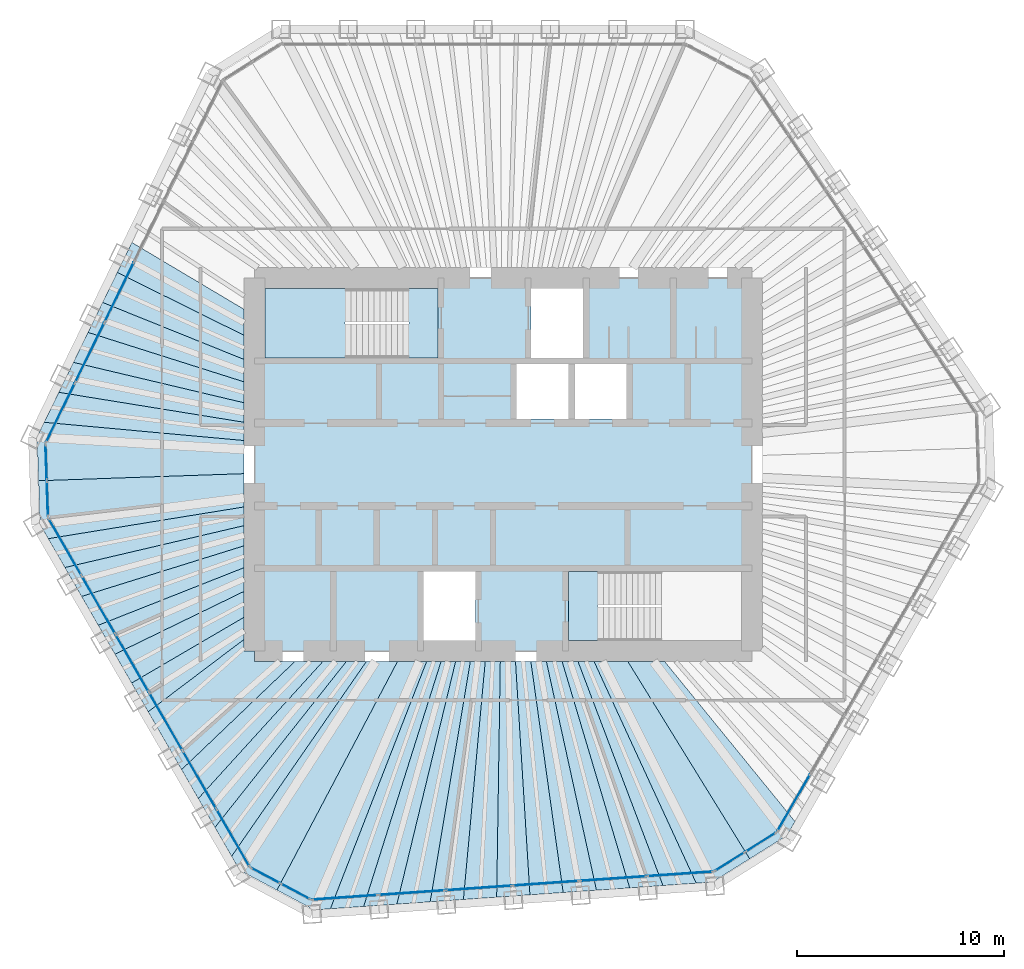
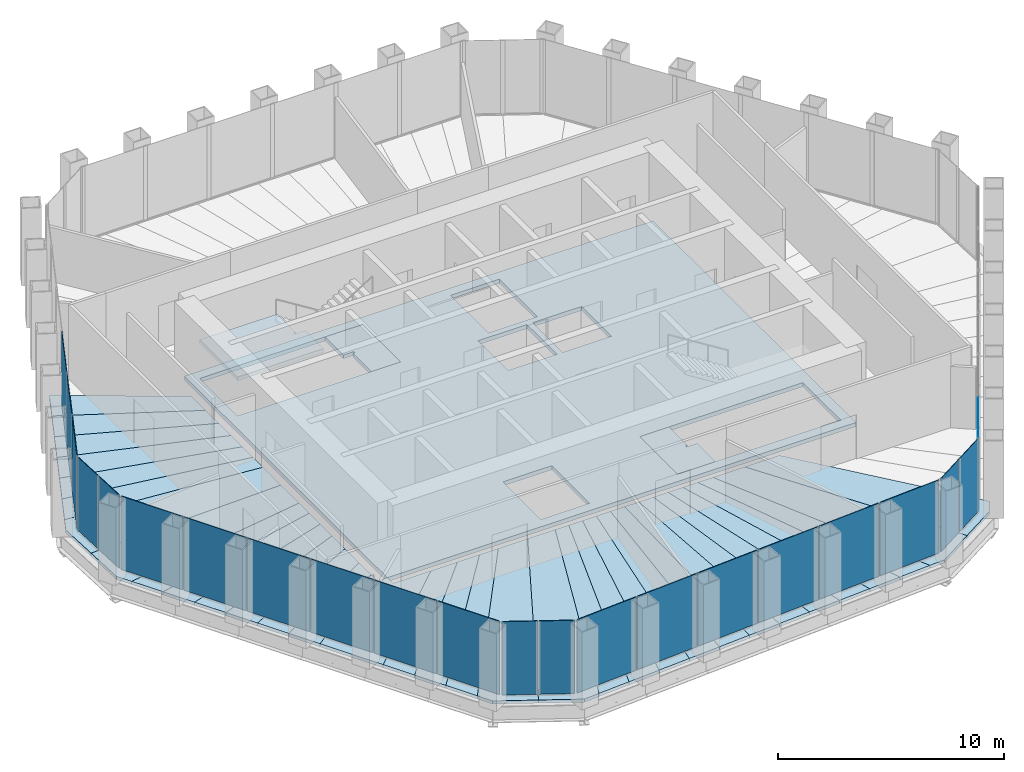
# One storey, part 9 of 14: 37 slabs, 22 plates, 9 elements without a shape of their own.
"""IFC4 building model written with IfcOpenShell, lengths in metres."""

from ifc_helpers import new_model, si_unit, direction, frame, origin, origin_2d, place, context, subcontext, project, spatial, polyline, rectangle, outline, extrude, material, layer, layer_set, type_object, element, aggregate, save


model = new_model("IFC4")

# Units and contexts
model_context = context("Model", 3, precision=1e-05, world=origin(), true_north=direction((0.0, 1.0)))
body_context = subcontext(model_context, "Body", "Model", "MODEL_VIEW")
ifc_project = project(units=[si_unit("LENGTHUNIT", "METRE"), si_unit("AREAUNIT", "SQUARE_METRE"), si_unit("VOLUMEUNIT", "CUBIC_METRE"), si_unit("PLANEANGLEUNIT", "RADIAN"), si_unit("MASSUNIT", "GRAM", prefix="KILO")], contexts=[model_context])

# Site, building, storey
site_placement = place(None, origin())
site = spatial("IfcSite", under=ifc_project, at=site_placement, CompositionType="ELEMENT")
building_placement = place(site_placement, origin())
building = spatial("IfcBuilding", under=site, at=building_placement, Name="Qingtian Harvest Tower", CompositionType="ELEMENT")
storey_placement = place(building_placement, frame((0.0, 0.0, 287.199951171875)))
storey = spatial("IfcBuildingStorey", under=building, at=storey_placement, Name="L63", CompositionType="ELEMENT", Elevation=287.199951171875)

# Slabs
ifc_material_1 = material(Name="Concrete fc' 35 MPa", Category="concrete")
ifc_layer_1 = layer(ifc_material_1, 0.169921875)
ifc_layer_set_1 = layer_set([ifc_layer_1], Name="Composite floor slab FS17 170")
slab_type_1 = type_object("IfcSlabType", Name="Composite floor slab FS17 170", PredefinedType="FLOOR", material=ifc_layer_set_1)
slab_1_placement = place(storey_placement, frame((0.0, 0.0, -0.169921875)))
element("IfcSlab", 1, at=slab_1_placement, inside=storey, type_object=slab_type_1, Name="Floor slab L63 panel D01", PredefinedType="FLOOR", context=body_context, shape_type="SweptSolid", body=[
    extrude(outline(polyline([(-22.422607421875, -0.783203125), (-12.5, -0.4404296875), (-12.5, -2.044921875), (-21.95751953125, -3.578369140625), (-22.348876953125, -2.90087890625), (-22.422607421875, -0.783203125)])), origin(), (0.0, 0.0, 1.0), 0.169921875),
])
slab_2_placement = place(storey_placement, frame((0.0, 0.0, -0.169921875)))
element("IfcSlab", 2, at=slab_2_placement, inside=storey, type_object=slab_type_1, Name="Floor slab L63 panel D02", PredefinedType="FLOOR", context=body_context, shape_type="SweptSolid", body=[
    extrude(outline(polyline([(-12.5, -2.94677734375), (-21.153076171875, -4.9716796875), (-21.95751953125, -3.578369140625), (-12.5, -2.044921875), (-12.5, -2.94677734375)])), origin(), (0.0, 0.0, 1.0), 0.169921875),
])
slab_3_placement = place(storey_placement, frame((0.0, 0.0, -0.169921875)))
element("IfcSlab", 3, at=slab_3_placement, inside=storey, type_object=slab_type_1, Name="Floor slab L63 panel D03", PredefinedType="FLOOR", context=body_context, shape_type="SweptSolid", body=[
    extrude(outline(polyline([(-12.5, -3.919921875), (-20.3486328125, -6.365234375), (-21.153076171875, -4.9716796875), (-12.5, -2.94677734375), (-12.5, -3.919921875)])), origin(), (0.0, 0.0, 1.0), 0.169921875),
])
slab_4_placement = place(storey_placement, frame((0.0, 0.0, -0.169921875)))
element("IfcSlab", 4, at=slab_4_placement, inside=storey, type_object=slab_type_1, Name="Floor slab L63 panel D04", PredefinedType="FLOOR", context=body_context, shape_type="SweptSolid", body=[
    extrude(outline(polyline([(-12.5, -4.973388671875), (-19.544189453125, -7.758544921875), (-20.3486328125, -6.365234375), (-12.5, -3.919921875), (-12.5, -4.973388671875)])), origin(), (0.0, 0.0, 1.0), 0.169921875),
])
slab_5_placement = place(storey_placement, frame((0.0, 0.0, -0.169921875)))
element("IfcSlab", 5, at=slab_5_placement, inside=storey, type_object=slab_type_1, Name="Floor slab L63 panel D05", PredefinedType="FLOOR", context=body_context, shape_type="SweptSolid", body=[
    extrude(outline(polyline([(-12.5, -6.1171875), (-18.73974609375, -9.15185546875), (-19.544189453125, -7.758544921875), (-12.5, -4.973388671875), (-12.5, -6.1171875)])), origin(), (0.0, 0.0, 1.0), 0.169921875),
])
slab_6_placement = place(storey_placement, frame((0.0, 0.0, -0.169921875)))
element("IfcSlab", 6, at=slab_6_placement, inside=storey, type_object=slab_type_1, Name="Floor slab L63 panel D06", PredefinedType="FLOOR", context=body_context, shape_type="SweptSolid", body=[
    extrude(outline(polyline([(-12.5, -7.364013671875), (-17.93505859375, -10.54541015625), (-18.73974609375, -9.15185546875), (-12.5, -6.1171875), (-12.5, -7.364013671875)])), origin(), (0.0, 0.0, 1.0), 0.169921875),
])
slab_7_placement = place(storey_placement, frame((0.0, 0.0, -0.169921875)))
element("IfcSlab", 7, at=slab_7_placement, inside=storey, type_object=slab_type_1, Name="Floor slab L63 panel D07", PredefinedType="FLOOR", context=body_context, shape_type="SweptSolid", body=[
    extrude(outline(polyline([(-12.5, -8.432373046875), (-17.134521484375, -11.931884765625), (-17.93505859375, -10.54541015625), (-12.5, -7.364013671875), (-12.5, -8.432373046875)])), origin(), (0.0, 0.0, 1.0), 0.169921875),
])
slab_8_placement = place(storey_placement, frame((0.0, 0.0, -0.169921875)))
element("IfcSlab", 8, at=slab_8_placement, inside=storey, type_object=slab_type_1, Name="Floor slab L63 panel D09", PredefinedType="FLOOR", context=body_context, shape_type="SweptSolid", body=[
    extrude(outline(polyline([(-15.522216796875, -14.724609375), (-17.134521484375, -11.931884765625), (-12.5, -8.432373046875), (-12.5, -9.0), (-12.0, -9.0), (-12.0, -9.5), (-10.048828125, -9.5), (-15.522216796875, -14.724609375)])), origin(), (0.0, 0.0, 1.0), 0.169921875),
])
slab_9_placement = place(storey_placement, frame((0.0, 0.0, -0.169921875)))
element("IfcSlab", 9, at=slab_9_placement, inside=storey, type_object=slab_type_1, Name="Floor slab L63 panel D10", PredefinedType="FLOOR", context=body_context, shape_type="SweptSolid", body=[
    extrude(outline(polyline([(-8.70068359375, -9.5), (-14.7177734375, -16.1181640625), (-15.522216796875, -14.724609375), (-10.048828125, -9.5), (-8.70068359375, -9.5)])), origin(), (0.0, 0.0, 1.0), 0.169921875),
])
slab_10_placement = place(storey_placement, frame((0.0, 0.0, -0.169921875)))
element("IfcSlab", 10, at=slab_10_placement, inside=storey, type_object=slab_type_1, Name="Floor slab L63 panel D11", PredefinedType="FLOOR", context=body_context, shape_type="SweptSolid", body=[
    extrude(outline(polyline([(-7.568359375, -9.5), (-13.9130859375, -17.51171875), (-14.7177734375, -16.1181640625), (-8.70068359375, -9.5), (-7.568359375, -9.5)])), origin(), (0.0, 0.0, 1.0), 0.169921875),
])
slab_11_placement = place(storey_placement, frame((0.0, 0.0, -0.169921875)))
element("IfcSlab", 11, at=slab_11_placement, inside=storey, type_object=slab_type_1, Name="Floor slab L63 panel D12", PredefinedType="FLOOR", context=body_context, shape_type="SweptSolid", body=[
    extrude(outline(polyline([(-6.603515625, -9.5), (-13.108642578125, -18.905029296875), (-13.9130859375, -17.51171875), (-7.568359375, -9.5), (-6.603515625, -9.5)])), origin(), (0.0, 0.0, 1.0), 0.169921875),
])
slab_12_placement = place(storey_placement, frame((0.0, 0.0, -0.169921875)))
element("IfcSlab", 12, at=slab_12_placement, inside=storey, type_object=slab_type_1, Name="Floor slab L63 panel D13", PredefinedType="FLOOR", context=body_context, shape_type="SweptSolid", body=[
    extrude(outline(polyline([(-6.603515625, -9.5), (-5.10009765625, -9.5), (-10.921142578125, -20.537841796875), (-12.717529296875, -19.582763671875), (-13.108642578125, -18.905029296875), (-6.603515625, -9.5)])), origin(), (0.0, 0.0, 1.0), 0.169921875),
])
slab_13_placement = place(storey_placement, frame((0.0, 0.0, -0.169921875)))
element("IfcSlab", 13, at=slab_13_placement, inside=storey, type_object=slab_type_1, Name="Floor slab L63 panel D14", PredefinedType="FLOOR", context=body_context, shape_type="SweptSolid", body=[
    extrude(outline(polyline([(-5.10009765625, -9.5), (-3.696044921875, -9.5), (-8.343017578125, -21.439208984375), (-9.123291015625, -21.49365234375), (-10.921142578125, -20.537841796875), (-5.10009765625, -9.5)])), origin(), (0.0, 0.0, 1.0), 0.169921875),
])
slab_14_placement = place(storey_placement, frame((0.0, 0.0, -0.169921875)))
element("IfcSlab", 14, at=slab_14_placement, inside=storey, type_object=slab_type_1, Name="Floor slab L63 panel D15", PredefinedType="FLOOR", context=body_context, shape_type="SweptSolid", body=[
    extrude(outline(polyline([(-3.00048828125, -9.5), (-6.738037109375, -21.326904296875), (-8.343017578125, -21.439208984375), (-3.696044921875, -9.5), (-3.00048828125, -9.5)])), origin(), (0.0, 0.0, 1.0), 0.169921875),
])
slab_15_placement = place(storey_placement, frame((0.0, 0.0, -0.169921875)))
element("IfcSlab", 15, at=slab_15_placement, inside=storey, type_object=slab_type_1, Name="Floor slab L63 panel D16", PredefinedType="FLOOR", context=body_context, shape_type="SweptSolid", body=[
    extrude(outline(polyline([(-2.297607421875, -9.5), (-5.133056640625, -21.21484375), (-6.738037109375, -21.326904296875), (-3.00048828125, -9.5), (-2.297607421875, -9.5)])), origin(), (0.0, 0.0, 1.0), 0.169921875),
])
slab_16_placement = place(storey_placement, frame((0.0, 0.0, -0.169921875)))
element("IfcSlab", 16, at=slab_16_placement, inside=storey, type_object=slab_type_1, Name="Floor slab L63 panel D17", PredefinedType="FLOOR", context=body_context, shape_type="SweptSolid", body=[
    extrude(outline(polyline([(-1.58740234375, -9.5), (-3.528076171875, -21.1025390625), (-5.133056640625, -21.21484375), (-2.297607421875, -9.5), (-1.58740234375, -9.5)])), origin(), (0.0, 0.0, 1.0), 0.169921875),
])
slab_17_placement = place(storey_placement, frame((0.0, 0.0, -0.169921875)))
element("IfcSlab", 17, at=slab_17_placement, inside=storey, type_object=slab_type_1, Name="Floor slab L63 panel D18", PredefinedType="FLOOR", context=body_context, shape_type="SweptSolid", body=[
    extrude(outline(polyline([(-0.869384765625, -9.5), (-1.9228515625, -20.990234375), (-3.528076171875, -21.1025390625), (-1.58740234375, -9.5), (-0.869384765625, -9.5)])), origin(), (0.0, 0.0, 1.0), 0.169921875),
])
slab_18_placement = place(storey_placement, frame((0.0, 0.0, -0.169921875)))
element("IfcSlab", 18, at=slab_18_placement, inside=storey, type_object=slab_type_1, Name="Floor slab L63 panel D19", PredefinedType="FLOOR", context=body_context, shape_type="SweptSolid", body=[
    extrude(outline(polyline([(-0.143798828125, -9.5), (-0.31787109375, -20.8779296875), (-1.9228515625, -20.990234375), (-0.869384765625, -9.5), (-0.143798828125, -9.5)])), origin(), (0.0, 0.0, 1.0), 0.169921875),
])
slab_19_placement = place(storey_placement, frame((0.0, 0.0, -0.169921875)))
element("IfcSlab", 19, at=slab_19_placement, inside=storey, type_object=slab_type_1, Name="Floor slab L63 panel D20", PredefinedType="FLOOR", context=body_context, shape_type="SweptSolid", body=[
    extrude(outline(polyline([(0.58984375, -9.5), (1.287109375, -20.765869140625), (-0.31787109375, -20.8779296875), (-0.143798828125, -9.5), (0.58984375, -9.5)])), origin(), (0.0, 0.0, 1.0), 0.169921875),
])
slab_20_placement = place(storey_placement, frame((0.0, 0.0, -0.169921875)))
element("IfcSlab", 20, at=slab_20_placement, inside=storey, type_object=slab_type_1, Name="Floor slab L63 panel D21", PredefinedType="FLOOR", context=body_context, shape_type="SweptSolid", body=[
    extrude(outline(polyline([(1.331298828125, -9.5), (2.89208984375, -20.653564453125), (1.287109375, -20.765869140625), (0.58984375, -9.5), (1.331298828125, -9.5)])), origin(), (0.0, 0.0, 1.0), 0.169921875),
])
slab_21_placement = place(storey_placement, frame((0.0, 0.0, -0.169921875)))
element("IfcSlab", 21, at=slab_21_placement, inside=storey, type_object=slab_type_1, Name="Floor slab L63 panel D22", PredefinedType="FLOOR", context=body_context, shape_type="SweptSolid", body=[
    extrude(outline(polyline([(2.080810546875, -9.5), (4.4970703125, -20.541259765625), (2.89208984375, -20.653564453125), (1.331298828125, -9.5), (2.080810546875, -9.5)])), origin(), (0.0, 0.0, 1.0), 0.169921875),
])
slab_22_placement = place(storey_placement, frame((0.0, 0.0, -0.169921875)))
element("IfcSlab", 22, at=slab_22_placement, inside=storey, type_object=slab_type_1, Name="Floor slab L63 panel D23", PredefinedType="FLOOR", context=body_context, shape_type="SweptSolid", body=[
    extrude(outline(polyline([(2.838623046875, -9.5), (6.10205078125, -20.42919921875), (4.4970703125, -20.541259765625), (2.080810546875, -9.5), (2.838623046875, -9.5)])), origin(), (0.0, 0.0, 1.0), 0.169921875),
])
slab_23_placement = place(storey_placement, frame((0.0, 0.0, -0.169921875)))
element("IfcSlab", 23, at=slab_23_placement, inside=storey, type_object=slab_type_1, Name="Floor slab L63 panel D24", PredefinedType="FLOOR", context=body_context, shape_type="SweptSolid", body=[
    extrude(outline(polyline([(3.604736328125, -9.5), (7.70703125, -20.31689453125), (6.10205078125, -20.42919921875), (2.838623046875, -9.5), (3.604736328125, -9.5)])), origin(), (0.0, 0.0, 1.0), 0.169921875),
])
slab_24_placement = place(storey_placement, frame((0.0, 0.0, -0.169921875)))
element("IfcSlab", 24, at=slab_24_placement, inside=storey, type_object=slab_type_1, Name="Floor slab L63 panel D25", PredefinedType="FLOOR", context=body_context, shape_type="SweptSolid", body=[
    extrude(outline(polyline([(4.379638671875, -9.5), (9.312255859375, -20.20458984375), (7.70703125, -20.31689453125), (3.604736328125, -9.5), (4.379638671875, -9.5)])), origin(), (0.0, 0.0, 1.0), 0.169921875),
])
slab_25_placement = place(storey_placement, frame((0.0, 0.0, -0.169921875)))
element("IfcSlab", 25, at=slab_25_placement, inside=storey, type_object=slab_type_1, Name="Floor slab L63 panel D26", PredefinedType="FLOOR", context=body_context, shape_type="SweptSolid", body=[
    extrude(outline(polyline([(4.379638671875, -9.5), (6.0087890625, -9.5), (11.890380859375, -19.026611328125), (10.09228515625, -20.150146484375), (9.312255859375, -20.20458984375), (4.379638671875, -9.5)])), origin(), (0.0, 0.0, 1.0), 0.169921875),
])
slab_26_placement = place(storey_placement, frame((0.0, 0.0, -0.169921875)))
element("IfcSlab", 26, at=slab_26_placement, inside=storey, type_object=slab_type_1, Name="Floor slab L63 panel D27", PredefinedType="FLOOR", context=body_context, shape_type="SweptSolid", body=[
    extrude(outline(polyline([(6.0087890625, -9.5), (7.78515625, -9.5), (14.077880859375, -17.2265625), (13.6865234375, -17.904296875), (11.890380859375, -19.026611328125), (6.0087890625, -9.5)])), origin(), (0.0, 0.0, 1.0), 0.169921875),
])
slab_27_placement = place(storey_placement, frame((0.0, 0.0, -0.169921875)))
element("IfcSlab", 27, at=slab_27_placement, inside=storey, type_object=slab_type_1, Name="Floor slab L63 panel D72", PredefinedType="FLOOR", context=body_context, shape_type="SweptSolid", body=[
    extrude(outline(polyline([(-12.5, 6.23095703125), (-18.627197265625, 9.2685546875), (-17.921875, 10.714599609375), (-12.5, 7.48583984375), (-12.5, 6.23095703125)])), origin(), (0.0, 0.0, 1.0), 0.169921875),
])
slab_28_placement = place(storey_placement, frame((0.0, 0.0, -0.169921875)))
element("IfcSlab", 28, at=slab_28_placement, inside=storey, type_object=slab_type_1, Name="Floor slab L63 panel D73", PredefinedType="FLOOR", context=body_context, shape_type="SweptSolid", body=[
    extrude(outline(polyline([(-12.5, 5.06787109375), (-19.33251953125, 7.822509765625), (-18.627197265625, 9.2685546875), (-12.5, 6.23095703125), (-12.5, 5.06787109375)])), origin(), (0.0, 0.0, 1.0), 0.169921875),
])
slab_29_placement = place(storey_placement, frame((0.0, 0.0, -0.169921875)))
element("IfcSlab", 29, at=slab_29_placement, inside=storey, type_object=slab_type_1, Name="Floor slab L63 panel D74", PredefinedType="FLOOR", context=body_context, shape_type="SweptSolid", body=[
    extrude(outline(polyline([(-12.5, 3.986572265625), (-20.037841796875, 6.376220703125), (-19.33251953125, 7.822509765625), (-12.5, 5.06787109375), (-12.5, 3.986572265625)])), origin(), (0.0, 0.0, 1.0), 0.169921875),
])
slab_30_placement = place(storey_placement, frame((0.0, 0.0, -0.169921875)))
element("IfcSlab", 30, at=slab_30_placement, inside=storey, type_object=slab_type_1, Name="Floor slab L63 panel D75", PredefinedType="FLOOR", context=body_context, shape_type="SweptSolid", body=[
    extrude(outline(polyline([(-12.5, 2.97900390625), (-20.7431640625, 4.93017578125), (-20.037841796875, 6.376220703125), (-12.5, 3.986572265625), (-12.5, 2.97900390625)])), origin(), (0.0, 0.0, 1.0), 0.169921875),
])
slab_31_placement = place(storey_placement, frame((0.0, 0.0, -0.169921875)))
element("IfcSlab", 31, at=slab_31_placement, inside=storey, type_object=slab_type_1, Name="Floor slab L63 panel D76", PredefinedType="FLOOR", context=body_context, shape_type="SweptSolid", body=[
    extrude(outline(polyline([(-12.5, 2.037841796875), (-21.448486328125, 3.484130859375), (-20.7431640625, 4.93017578125), (-12.5, 2.97900390625), (-12.5, 2.037841796875)])), origin(), (0.0, 0.0, 1.0), 0.169921875),
])
slab_32_placement = place(storey_placement, frame((0.0, 0.0, -0.169921875)))
element("IfcSlab", 32, at=slab_32_placement, inside=storey, type_object=slab_type_1, Name="Floor slab L63 panel D77", PredefinedType="FLOOR", context=body_context, shape_type="SweptSolid", body=[
    extrude(outline(polyline([(-12.5, 1.156494140625), (-22.15380859375, 2.037841796875), (-21.448486328125, 3.484130859375), (-12.5, 2.037841796875), (-12.5, 1.156494140625)])), origin(), (0.0, 0.0, 1.0), 0.169921875),
])
slab_33_placement = place(storey_placement, frame((0.0, 0.0, -0.169921875)))
element("IfcSlab", 33, at=slab_33_placement, inside=storey, type_object=slab_type_1, Name="Floor slab L63 panel D78", PredefinedType="FLOOR", context=body_context, shape_type="SweptSolid", body=[
    extrude(outline(polyline([(-12.5, 1.156494140625), (-12.5, -0.4404296875), (-22.422607421875, -0.783203125), (-22.49658203125, 1.334716796875), (-22.15380859375, 2.037841796875), (-12.5, 1.156494140625)])), origin(), (0.0, 0.0, 1.0), 0.169921875),
])
ifc_material_2 = material(Name="Concrete fc' 35 MPa", Category="concrete")
ifc_layer_2 = layer(ifc_material_2, 0.219970703125)
ifc_layer_set_2 = layer_set([ifc_layer_2], Name="Core floor slab CS22 220")
slab_type_2 = type_object("IfcSlabType", Name="Core floor slab CS22 220", PredefinedType="FLOOR", material=ifc_layer_set_2)
slab_34_placement = place(storey_placement, frame((0.0, 0.0, -0.219970703125)))
element("IfcSlab", 34, at=slab_34_placement, inside=storey, type_object=slab_type_2, Name="Core floor slab L63", PredefinedType="FLOOR", context=body_context, shape_type="SweptSolid", body=[
    extrude(outline(polyline([(-12.0, -9.0), (12.0, -9.0), (12.0, 9.0), (-12.0, 9.0), (-12.0, -9.0)]), holes=[polyline([(-11.5, 5.14990234375), (-3.14990234375, 5.14990234375), (-3.14990234375, 8.5), (-11.5, 8.5), (-11.5, 5.14990234375)]), polyline([(3.14990234375, -8.5), (11.5, -8.5), (11.5, -5.14990234375), (3.14990234375, -5.14990234375), (3.14990234375, -8.5)]), polyline([(1.35009765625, 5.14990234375), (3.85009765625, 5.14990234375), (3.85009765625, 8.5), (1.35009765625, 8.5), (1.35009765625, 5.14990234375)]), polyline([(-3.85009765625, -8.5), (-1.35009765625, -8.5), (-1.35009765625, -5.14990234375), (-3.85009765625, -5.14990234375), (-3.85009765625, -8.5)]), polyline([(0.64990234375, 2.199951171875), (3.14990234375, 2.199951171875), (3.14990234375, 4.85009765625), (0.64990234375, 4.85009765625), (0.64990234375, 2.199951171875)]), polyline([(3.449951171875, 2.199951171875), (5.949951171875, 2.199951171875), (5.949951171875, 4.85009765625), (3.449951171875, 4.85009765625), (3.449951171875, 2.199951171875)])]), origin(), (0.0, 0.0, 1.0), 0.219970703125),
])

# Curtain wall, plate
ifc_material_3 = material(Name="Bronze-anodised aluminium curtain wall", Category="aluminium")
curtain_wall_type = type_object("IfcCurtainWallType", Name="Curtain wall CW5 upper office", PredefinedType="USERDEFINED", material=ifc_material_3)
curtain_wall_1_placement = place(storey_placement, origin())
curtain_wall_1 = element("IfcCurtainWall", 35, at=curtain_wall_1_placement, inside=storey, type_object=curtain_wall_type, Name="Curtain wall CW5 L63 SE0-5", ObjectType="RECESSED CURTAIN WALL", PredefinedType="USERDEFINED")
ifc_material_4 = material(Name="Bronze-tinted laminated insulating glass", Category="glass")
ifc_layer_3 = layer(ifc_material_4, 0.030029296875)
ifc_layer_set_3 = layer_set([ifc_layer_3], Name="Glazed panel CWP tinted IGU")
plate_type = type_object("IfcPlateType", Name="Glazed panel CWP tinted IGU", PredefinedType="CURTAIN_PANEL", material=ifc_layer_set_3)
plate_1_placement = place(storey_placement, frame((14.017578125, -16.321044921875, 0.06494140625), z_axis=(0.0, 0.0, 1.0), x_axis=(-0.5, -0.866025403784, 0.0)))
plate_1 = element("IfcPlate", 36, at=plate_1_placement, type_object=plate_type, Name="CW5 panel 6.1", PredefinedType="CURTAIN_PANEL", context=body_context, shape_type="SweptSolid", body=[
    extrude(rectangle(XDim=3.150634765625, YDim=0.030029296875, at=origin_2d()), origin(), (0.0, 0.0, 1.0), 3.965087890625),
])
aggregate(curtain_wall_1, [plate_1])

# Curtain wall, plates
curtain_wall_2_placement = place(storey_placement, origin())
curtain_wall_2 = element("IfcCurtainWall", 37, at=curtain_wall_2_placement, inside=storey, type_object=curtain_wall_type, Name="Curtain wall CW5 L63 SEC", ObjectType="RECESSED CURTAIN WALL", PredefinedType="USERDEFINED")
plate_2_placement = place(storey_placement, frame((12.42431640625, -18.224609375, 0.06494140625), z_axis=(0.0, 0.0, 1.0), x_axis=(-0.848048096156, -0.529919264233, 0.0)))
plate_2 = element("IfcPlate", 38, at=plate_2_placement, type_object=plate_type, Name="CW5 panel 1.1", PredefinedType="CURTAIN_PANEL", context=body_context, shape_type="SweptSolid", body=[
    extrude(rectangle(XDim=1.69287109375, YDim=0.030029296875, at=origin_2d()), origin(), (0.0, 0.0, 1.0), 3.965087890625),
])
plate_3_placement = place(storey_placement, frame((10.93359375, -19.156005859375, 0.06494140625), z_axis=(0.0, 0.0, 1.0), x_axis=(-0.848048096156, -0.529919264233, 0.0)))
plate_3 = element("IfcPlate", 39, at=plate_3_placement, type_object=plate_type, Name="CW5 panel 2.1", PredefinedType="CURTAIN_PANEL", context=body_context, shape_type="SweptSolid", body=[
    extrude(rectangle(XDim=1.69287109375, YDim=0.030029296875, at=origin_2d()), origin(), (0.0, 0.0, 1.0), 3.965087890625),
])
aggregate(curtain_wall_2, [plate_2, plate_3])

curtain_wall_3_placement = place(storey_placement, origin())
curtain_wall_3 = element("IfcCurtainWall", 40, at=curtain_wall_3_placement, inside=storey, type_object=curtain_wall_type, Name="Curtain wall CW5 L63 S0-5", ObjectType="RECESSED CURTAIN WALL", PredefinedType="USERDEFINED")
plate_4_placement = place(storey_placement, frame((8.5244140625, -19.75341796875, 0.06494140625), z_axis=(0.0, 0.0, 1.0), x_axis=(-0.99756405026, -0.069756473744, 0.0)))
plate_4 = element("IfcPlate", 41, at=plate_4_placement, type_object=plate_type, Name="CW5 panel 1.1", PredefinedType="CURTAIN_PANEL", context=body_context, shape_type="SweptSolid", body=[
    extrude(rectangle(XDim=3.150634765625, YDim=0.030029296875, at=origin_2d()), origin(), (0.0, 0.0, 1.0), 3.965087890625),
])
plate_5_placement = place(storey_placement, frame((5.300537109375, -19.97900390625, 0.06494140625), z_axis=(0.0, 0.0, 1.0), x_axis=(-0.99756405026, -0.069756473744, 0.0)))
plate_5 = element("IfcPlate", 42, at=plate_5_placement, type_object=plate_type, Name="CW5 panel 2.1", PredefinedType="CURTAIN_PANEL", context=body_context, shape_type="SweptSolid", body=[
    extrude(rectangle(XDim=3.18310546875, YDim=0.030029296875, at=origin_2d()), origin(), (0.0, 0.0, 1.0), 3.965087890625),
])
plate_6_placement = place(storey_placement, frame((2.060302734375, -20.20556640625, 0.06494140625), z_axis=(0.0, 0.0, 1.0), x_axis=(-0.99756405026, -0.069756473744, 0.0)))
plate_6 = element("IfcPlate", 43, at=plate_6_placement, type_object=plate_type, Name="CW5 panel 3.1", PredefinedType="CURTAIN_PANEL", context=body_context, shape_type="SweptSolid", body=[
    extrude(rectangle(XDim=3.18310546875, YDim=0.030029296875, at=origin_2d()), origin(), (0.0, 0.0, 1.0), 3.965087890625),
])
plate_7_placement = place(storey_placement, frame((-1.1796875, -20.43212890625, 0.06494140625), z_axis=(0.0, 0.0, 1.0), x_axis=(-0.99756405026, -0.069756473744, 0.0)))
plate_7 = element("IfcPlate", 44, at=plate_7_placement, type_object=plate_type, Name="CW5 panel 4.1", PredefinedType="CURTAIN_PANEL", context=body_context, shape_type="SweptSolid", body=[
    extrude(rectangle(XDim=3.18310546875, YDim=0.030029296875, at=origin_2d()), origin(), (0.0, 0.0, 1.0), 3.965087890625),
])
plate_8_placement = place(storey_placement, frame((-4.419921875, -20.65869140625, 0.06494140625), z_axis=(0.0, 0.0, 1.0), x_axis=(-0.99756405026, -0.069756473744, 0.0)))
plate_8 = element("IfcPlate", 45, at=plate_8_placement, type_object=plate_type, Name="CW5 panel 5.1", PredefinedType="CURTAIN_PANEL", context=body_context, shape_type="SweptSolid", body=[
    extrude(rectangle(XDim=3.18310546875, YDim=0.030029296875, at=origin_2d()), origin(), (0.0, 0.0, 1.0), 3.965087890625),
])
plate_9_placement = place(storey_placement, frame((-7.643798828125, -20.884033203125, 0.06494140625), z_axis=(0.0, 0.0, 1.0), x_axis=(-0.99756405026, -0.069756473744, 0.0)))
plate_9 = element("IfcPlate", 46, at=plate_9_placement, type_object=plate_type, Name="CW5 panel 6.1", PredefinedType="CURTAIN_PANEL", context=body_context, shape_type="SweptSolid", body=[
    extrude(rectangle(XDim=3.150634765625, YDim=0.030029296875, at=origin_2d()), origin(), (0.0, 0.0, 1.0), 3.965087890625),
])
aggregate(curtain_wall_3, [plate_4, plate_5, plate_6, plate_7, plate_8, plate_9])

curtain_wall_4_placement = place(storey_placement, origin())
curtain_wall_4 = element("IfcCurtainWall", 47, at=curtain_wall_4_placement, inside=storey, type_object=curtain_wall_type, Name="Curtain wall CW5 L63 SC", ObjectType="RECESSED CURTAIN WALL", PredefinedType="USERDEFINED")
plate_10_placement = place(storey_placement, frame((-10.029296875, -20.60009765625, 0.06494140625), z_axis=(0.0, 0.0, 1.0), x_axis=(-0.882947592859, 0.469471562786, 0.0)))
plate_10 = element("IfcPlate", 48, at=plate_10_placement, type_object=plate_type, Name="CW5 panel 1.1", PredefinedType="CURTAIN_PANEL", context=body_context, shape_type="SweptSolid", body=[
    extrude(rectangle(XDim=1.56689453125, YDim=0.030029296875, at=origin_2d()), origin(), (0.0, 0.0, 1.0), 3.965087890625),
])
plate_11_placement = place(storey_placement, frame((-11.469970703125, -19.833984375, 0.06494140625), z_axis=(0.0, 0.0, 1.0), x_axis=(-0.882947592859, 0.469471562786, 0.0)))
plate_11 = element("IfcPlate", 49, at=plate_11_placement, type_object=plate_type, Name="CW5 panel 2.1", PredefinedType="CURTAIN_PANEL", context=body_context, shape_type="SweptSolid", body=[
    extrude(rectangle(XDim=1.56689453125, YDim=0.030029296875, at=origin_2d()), origin(), (0.0, 0.0, 1.0), 3.965087890625),
])
aggregate(curtain_wall_4, [plate_10, plate_11])

curtain_wall_5_placement = place(storey_placement, origin())
curtain_wall_5 = element("IfcCurtainWall", 50, at=curtain_wall_5_placement, inside=storey, type_object=curtain_wall_type, Name="Curtain wall CW5 L63 SW0-5", ObjectType="RECESSED CURTAIN WALL", PredefinedType="USERDEFINED")
plate_12_placement = place(storey_placement, frame((-13.039306640625, -18.01513671875, 0.06494140625), z_axis=(0.0, 0.0, 1.0), x_axis=(-0.5, 0.866025403784, 0.0)))
plate_12 = element("IfcPlate", 51, at=plate_12_placement, type_object=plate_type, Name="CW5 panel 1.1", PredefinedType="CURTAIN_PANEL", context=body_context, shape_type="SweptSolid", body=[
    extrude(rectangle(XDim=3.150634765625, YDim=0.030029296875, at=origin_2d()), origin(), (0.0, 0.0, 1.0), 3.965087890625),
])
plate_13_placement = place(storey_placement, frame((-14.6552734375, -15.216552734375, 0.06494140625), z_axis=(0.0, 0.0, 1.0), x_axis=(-0.5, 0.866025403784, 0.0)))
plate_13 = element("IfcPlate", 52, at=plate_13_placement, type_object=plate_type, Name="CW5 panel 2.1", PredefinedType="CURTAIN_PANEL", context=body_context, shape_type="SweptSolid", body=[
    extrude(rectangle(XDim=3.18310546875, YDim=0.030029296875, at=origin_2d()), origin(), (0.0, 0.0, 1.0), 3.965087890625),
])
plate_14_placement = place(storey_placement, frame((-16.279296875, -12.403564453125, 0.06494140625), z_axis=(0.0, 0.0, 1.0), x_axis=(-0.5, 0.866025403784, 0.0)))
plate_14 = element("IfcPlate", 53, at=plate_14_placement, type_object=plate_type, Name="CW5 panel 3.1", PredefinedType="CURTAIN_PANEL", context=body_context, shape_type="SweptSolid", body=[
    extrude(rectangle(XDim=3.18310546875, YDim=0.030029296875, at=origin_2d()), origin(), (0.0, 0.0, 1.0), 3.965087890625),
])
plate_15_placement = place(storey_placement, frame((-17.9033203125, -9.590576171875, 0.06494140625), z_axis=(0.0, 0.0, 1.0), x_axis=(-0.5, 0.866025403784, 0.0)))
plate_15 = element("IfcPlate", 54, at=plate_15_placement, type_object=plate_type, Name="CW5 panel 4.1", PredefinedType="CURTAIN_PANEL", context=body_context, shape_type="SweptSolid", body=[
    extrude(rectangle(XDim=3.18310546875, YDim=0.030029296875, at=origin_2d()), origin(), (0.0, 0.0, 1.0), 3.965087890625),
])
plate_16_placement = place(storey_placement, frame((-19.52734375, -6.77783203125, 0.06494140625), z_axis=(0.0, 0.0, 1.0), x_axis=(-0.5, 0.866025403784, 0.0)))
plate_16 = element("IfcPlate", 55, at=plate_16_placement, type_object=plate_type, Name="CW5 panel 5.1", PredefinedType="CURTAIN_PANEL", context=body_context, shape_type="SweptSolid", body=[
    extrude(rectangle(XDim=3.18310546875, YDim=0.030029296875, at=origin_2d()), origin(), (0.0, 0.0, 1.0), 3.965087890625),
])
plate_17_placement = place(storey_placement, frame((-21.14306640625, -3.97900390625, 0.06494140625), z_axis=(0.0, 0.0, 1.0), x_axis=(-0.5, 0.866025403784, 0.0)))
plate_17 = element("IfcPlate", 56, at=plate_17_placement, type_object=plate_type, Name="CW5 panel 6.1", PredefinedType="CURTAIN_PANEL", context=body_context, shape_type="SweptSolid", body=[
    extrude(rectangle(XDim=3.150634765625, YDim=0.030029296875, at=origin_2d()), origin(), (0.0, 0.0, 1.0), 3.965087890625),
])
aggregate(curtain_wall_5, [plate_12, plate_13, plate_14, plate_15, plate_16, plate_17])

curtain_wall_6_placement = place(storey_placement, origin())
curtain_wall_6 = element("IfcCurtainWall", 57, at=curtain_wall_6_placement, inside=storey, type_object=curtain_wall_type, Name="Curtain wall CW5 L63 SWC", ObjectType="RECESSED CURTAIN WALL", PredefinedType="USERDEFINED")
plate_18_placement = place(storey_placement, frame((-21.9951171875, -1.647705078125, 0.06494140625), z_axis=(0.0, 0.0, 1.0), x_axis=(-0.034899496703, 0.999390827019, 0.0)))
plate_18 = element("IfcPlate", 58, at=plate_18_placement, type_object=plate_type, Name="CW5 panel 1.1", PredefinedType="CURTAIN_PANEL", context=body_context, shape_type="SweptSolid", body=[
    extrude(rectangle(XDim=1.69287109375, YDim=0.030029296875, at=origin_2d()), origin(), (0.0, 0.0, 1.0), 3.965087890625),
])
plate_19_placement = place(storey_placement, frame((-22.056396484375, 0.109375, 0.06494140625), z_axis=(0.0, 0.0, 1.0), x_axis=(-0.034899496703, 0.999390827019, 0.0)))
plate_19 = element("IfcPlate", 59, at=plate_19_placement, type_object=plate_type, Name="CW5 panel 2.1", PredefinedType="CURTAIN_PANEL", context=body_context, shape_type="SweptSolid", body=[
    extrude(rectangle(XDim=1.69287109375, YDim=0.030029296875, at=origin_2d()), origin(), (0.0, 0.0, 1.0), 3.965087890625),
])
aggregate(curtain_wall_6, [plate_18, plate_19])

curtain_wall_7_placement = place(storey_placement, origin())
curtain_wall_7 = element("IfcCurtainWall", 60, at=curtain_wall_7_placement, inside=storey, type_object=curtain_wall_type, Name="Curtain wall CW5 L63 NW0-5", ObjectType="RECESSED CURTAIN WALL", PredefinedType="USERDEFINED")
plate_20_placement = place(storey_placement, frame((-21.369140625, 2.494384765625, 0.06494140625), z_axis=(0.0, 0.0, 1.0), x_axis=(0.438371146789, 0.898794046299, 0.0)))
plate_20 = element("IfcPlate", 61, at=plate_20_placement, type_object=plate_type, Name="CW5 panel 1.1", PredefinedType="CURTAIN_PANEL", context=body_context, shape_type="SweptSolid", body=[
    extrude(rectangle(XDim=3.150634765625, YDim=0.030029296875, at=origin_2d()), origin(), (0.0, 0.0, 1.0), 3.965087890625),
])
plate_21_placement = place(storey_placement, frame((-19.952392578125, 5.399169921875, 0.06494140625), z_axis=(0.0, 0.0, 1.0), x_axis=(0.438371146789, 0.898794046299, 0.0)))
plate_21 = element("IfcPlate", 62, at=plate_21_placement, type_object=plate_type, Name="CW5 panel 2.1", PredefinedType="CURTAIN_PANEL", context=body_context, shape_type="SweptSolid", body=[
    extrude(rectangle(XDim=3.18310546875, YDim=0.030029296875, at=origin_2d()), origin(), (0.0, 0.0, 1.0), 3.965087890625),
])
plate_22_placement = place(storey_placement, frame((-18.528564453125, 8.318359375, 0.06494140625), z_axis=(0.0, 0.0, 1.0), x_axis=(0.438371146789, 0.898794046299, 0.0)))
plate_22 = element("IfcPlate", 63, at=plate_22_placement, type_object=plate_type, Name="CW5 panel 3.1", PredefinedType="CURTAIN_PANEL", context=body_context, shape_type="SweptSolid", body=[
    extrude(rectangle(XDim=3.18310546875, YDim=0.030029296875, at=origin_2d()), origin(), (0.0, 0.0, 1.0), 3.965087890625),
])
aggregate(curtain_wall_7, [plate_20, plate_21, plate_22])

# Stair, slabs
ifc_material_5 = material(Name="Concrete fc' 35 MPa", Category="concrete")
stair_type = type_object("IfcStairType", Name="Special stair ST6 4200", PredefinedType="HALF_TURN_STAIR", material=ifc_material_5)
stair_1_placement = place(storey_placement, origin())
stair_1 = element("IfcStair", 64, at=stair_1_placement, inside=storey, type_object=stair_type, Name="Special stair S1 L63", PredefinedType="HALF_TURN_STAIR")
ifc_material_6 = material(Name="Concrete fc' 35 MPa", Category="concrete")
ifc_layer_4 = layer(ifc_material_6, 0.199951171875)
ifc_layer_set_4 = layer_set([ifc_layer_4], Name="Stair landing SL2 200")
slab_type_3 = type_object("IfcSlabType", Name="Stair landing SL2 200", PredefinedType="LANDING", material=ifc_layer_set_4)
slab_35_placement = place(storey_placement, frame((0.0, 0.0, -0.199951171875)))
slab_35 = element("IfcSlab", 65, at=slab_35_placement, type_object=slab_type_3, Name="S1 landing 1", PredefinedType="LANDING", context=body_context, shape_type="SweptSolid", body=[
    extrude(outline(polyline([(-4.64990234375, 5.14990234375), (-4.64990234375, 6.77490234375), (-4.550048828125, 6.77490234375), (-4.550048828125, 6.875), (-5.0849609375, 6.875), (-5.0849609375, 8.5), (-3.14990234375, 8.5), (-3.14990234375, 5.14990234375), (-4.64990234375, 5.14990234375)])), origin(), (0.0, 0.0, 1.0), 0.199951171875),
])
slab_36_placement = place(storey_placement, frame((0.0, 0.0, 1.900146484375)))
slab_36 = element("IfcSlab", 66, at=slab_36_placement, type_object=slab_type_3, Name="S1 landing 2", PredefinedType="LANDING", context=body_context, shape_type="SweptSolid", body=[
    extrude(outline(polyline([(-7.094970703125, 5.14990234375), (-11.5, 5.14990234375), (-11.5, 8.5), (-7.530029296875, 8.5), (-7.530029296875, 6.875), (-7.6298828125, 6.875), (-7.6298828125, 6.77490234375), (-7.094970703125, 6.77490234375), (-7.094970703125, 5.14990234375)])), origin(), (0.0, 0.0, 1.0), 0.199951171875),
])
aggregate(stair_1, [slab_35, slab_36])

# Stair, slab
stair_2_placement = place(storey_placement, origin())
stair_2 = element("IfcStair", 67, at=stair_2_placement, inside=storey, type_object=stair_type, Name="Special stair S2 L63", PredefinedType="HALF_TURN_STAIR")
slab_37_placement = place(storey_placement, frame((0.0, 0.0, -0.199951171875)))
slab_37 = element("IfcSlab", 68, at=slab_37_placement, type_object=slab_type_3, Name="S2 landing 1", PredefinedType="LANDING", context=body_context, shape_type="SweptSolid", body=[
    extrude(outline(polyline([(5.0849609375, -8.5), (3.14990234375, -8.5), (3.14990234375, -5.14990234375), (4.64990234375, -5.14990234375), (4.64990234375, -6.77490234375), (4.550048828125, -6.77490234375), (4.550048828125, -6.875), (5.0849609375, -6.875), (5.0849609375, -8.5)])), origin(), (0.0, 0.0, 1.0), 0.199951171875),
])
aggregate(stair_2, [slab_37])

save(model, "model.ifc")
